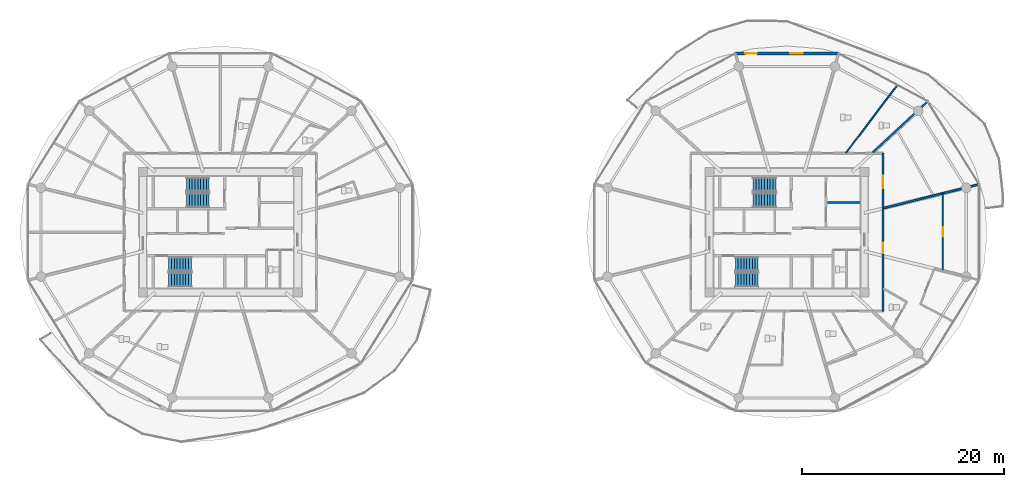
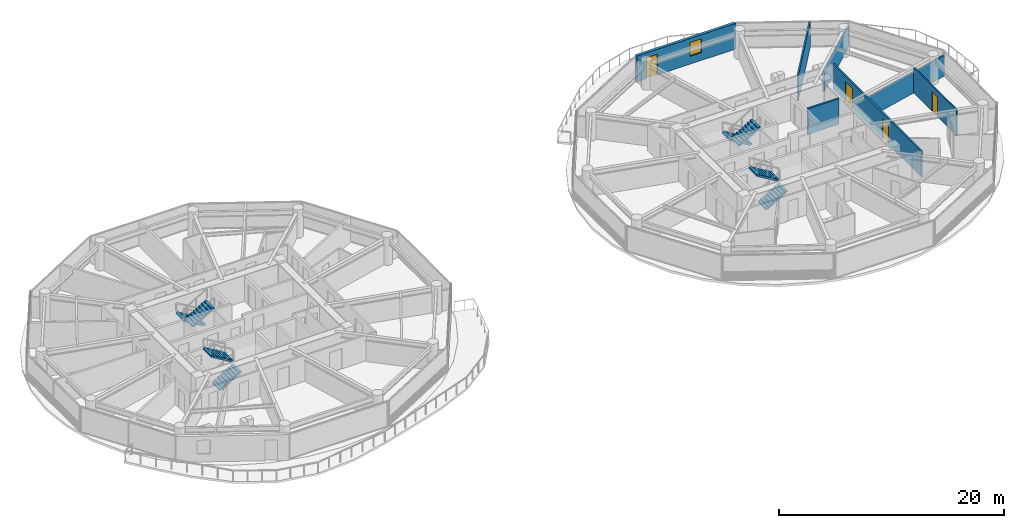
# One storey, part 20 of 27: 8 stair flights, 7 walls, 4 doors, 1 window, 5 openings, 4 elements without a shape of their own.
"""IFC4 building model written with IfcOpenShell, lengths in metres."""

from ifc_helpers import new_model, si_unit, direction, frame, frame_2d, origin, place, context, subcontext, project, spatial, polyline, rectangle, outline, extrude, source, transform, mapped, material, layer, layer_set, type_object, type_shapes, element, fill, aggregate, save


model = new_model("IFC4")

# Units and contexts
model_context = context("Model", 3, precision=1e-05, world=origin(), true_north=direction((0.0, 1.0)))
body_context = subcontext(model_context, "Body", "Model", "MODEL_VIEW")
ifc_project = project(units=[si_unit("LENGTHUNIT", "METRE"), si_unit("AREAUNIT", "SQUARE_METRE"), si_unit("VOLUMEUNIT", "CUBIC_METRE"), si_unit("PLANEANGLEUNIT", "RADIAN"), si_unit("MASSUNIT", "GRAM", prefix="KILO")], contexts=[model_context])

# Site, building, storey
site_placement = place(None, origin())
site = spatial("IfcSite", under=ifc_project, at=site_placement, CompositionType="ELEMENT")
building_placement = place(site_placement, origin())
building = spatial("IfcBuilding", under=site, at=building_placement, Name="Norrkilde Senior Care Towers", CompositionType="ELEMENT")
storey_placement = place(building_placement, frame((0.0, 0.0, 52.10009765625)))
storey = spatial("IfcBuildingStorey", under=building, at=storey_placement, Name="L15", CompositionType="ELEMENT", Elevation=52.10009765625)

# Wall, openings, door, window
ifc_material_1 = material(Name="Precast concrete C45/55", Category="concrete")
ifc_layer_1 = layer(ifc_material_1, 0.2900390625)
ifc_layer_set_1 = layer_set([ifc_layer_1], Name="Precast concrete C45/55")
wall_type_1 = type_object("IfcWallType", Name="Winter Garden Facade Wall 290", PredefinedType="SOLIDWALL", material=ifc_layer_set_1)
shared_shape_1 = source(origin(), body_context, "Body", "SweptSolid", [
    extrude(rectangle(XDim=10.18701171875, YDim=0.2900390625, at=frame_2d((5.093505859375, 0.0))), origin(), (0.0, 0.0, 1.0), 2.789794921875),
])
type_shapes(wall_type_1, [shared_shape_1])
wall_1_placement = place(storey_placement, frame((22.906494140625, 17.6572265625, 0.0), z_axis=(0.0, 0.0, 1.0), x_axis=(1.0, 0.0, 0.0)))
wall_1 = element("IfcWall", 1, at=wall_1_placement, inside=storey, type_object=wall_type_1, Name="L15 Drum E Balcony Access Wall 02", PredefinedType="SOLIDWALL", context=body_context, shape_type="MappedRepresentation", body=[
    mapped(shared_shape_1, transform((0.0, 0.0, 0.0), x_axis=(1.0, 0.0, 0.0), y_axis=(0.0, 1.0, 0.0), z_axis=(0.0, 0.0, 1.0), scale=1.0)),
])
opening_1_placement = place(wall_1_placement, frame((0.97998046875, 0.0, 0.0)))
opening_1 = element("IfcOpeningElement", 2, at=opening_1_placement, cuts=wall_1, Name="Opening D-09", PredefinedType="OPENING", context=body_context, shape_type="SweptSolid", body=[
    extrude(rectangle(XDim=1.14990234375, YDim=2.25, at=frame_2d((0.574951171875, 1.125))), frame((0.0, 0.155029296875, 0.0), z_axis=(0.0, -1.0, 0.0), x_axis=(1.0, 0.0, 0.0)), (0.0, 0.0, 1.0), 0.31005859375),
])
opening_2_placement = place(wall_1_placement, frame((5.443603515625, 0.0, 0.85009765625)))
opening_2 = element("IfcOpeningElement", 3, at=opening_2_placement, cuts=wall_1, Name="Opening WN-07", PredefinedType="OPENING", context=body_context, shape_type="SweptSolid", body=[
    extrude(rectangle(XDim=1.199951171875, YDim=1.5, at=frame_2d((0.60009765625, 0.75))), frame((0.0, 0.155029296875, 0.0), z_axis=(0.0, -1.0, 0.0), x_axis=(1.0, 0.0, 0.0)), (0.0, 0.0, 1.0), 0.31005859375),
])
ifc_material_2 = material(Name="Anodised Aluminium", Category="aluminium")
door_type_1 = type_object("IfcDoorType", Name="Terrace and Balcony Glazed Door 1150x2250", OperationType="NOTDEFINED", PredefinedType="DOOR", material=ifc_material_2)
shared_shape_2 = source(origin(), body_context, "Body", "SweptSolid", [
    extrude(rectangle(XDim=1.14990234375, YDim=2.25, at=frame_2d((0.574951171875, 1.125))), frame((0.0, 0.02490234375, 0.0), z_axis=(0.0, -1.0, 0.0), x_axis=(1.0, 0.0, 0.0)), (0.0, 0.0, 1.0), 0.050048828125),
])
type_shapes(door_type_1, [shared_shape_2])
door_1_placement = place(opening_1_placement, origin())
door_1 = element("IfcDoor", 4, at=door_1_placement, inside=storey, type_object=door_type_1, Name="L15 Drum E Outdoor Terrace Door 02", OperationType="SINGLE_SWING_LEFT", OverallHeight=2.25, OverallWidth=1.14990234375, PredefinedType="DOOR", context=body_context, shape_type="MappedRepresentation", body=[
    mapped(shared_shape_2, transform((0.0, 0.0, 0.0), x_axis=(1.0, 0.0, 0.0), y_axis=(0.0, 1.0, 0.0), z_axis=(0.0, 0.0, 1.0), scale=1.0)),
])
fill(opening_1, door_1)
ifc_material_3 = material(Name="Triple Low-E Insulated Glazing", Category="glass")
window_type = type_object("IfcWindowType", Name="Stairwell Smoke Vent Window 1200x1500", PartitioningType="SINGLE_PANEL", PredefinedType="WINDOW", material=ifc_material_3)
shared_shape_3 = source(origin(), body_context, "Body", "SweptSolid", [
    extrude(rectangle(XDim=1.199951171875, YDim=1.5, at=frame_2d((0.60009765625, 0.75))), frame((0.0, 0.030029296875, 0.0), z_axis=(0.0, -1.0, 0.0), x_axis=(1.0, 0.0, 0.0)), (0.0, 0.0, 1.0), 0.06005859375),
])
type_shapes(window_type, [shared_shape_3])
window_placement = place(opening_2_placement, origin())
window = element("IfcWindow", 5, at=window_placement, inside=storey, type_object=window_type, Name="L15 Drum E Winter Garden Window 02", OverallHeight=1.5, OverallWidth=1.199951171875, PartitioningType="SINGLE_PANEL", PredefinedType="WINDOW", context=body_context, shape_type="MappedRepresentation", body=[
    mapped(shared_shape_3, transform((0.0, 0.0, 0.0), x_axis=(1.0, 0.0, 0.0), y_axis=(0.0, 1.0, 0.0), z_axis=(0.0, 0.0, 1.0), scale=1.0)),
])
fill(opening_2, window)

# Wall
ifc_material_4 = material(Name="Concrete C45/55", Category="concrete")
ifc_layer_2 = layer(ifc_material_4, 0.199951171875)
ifc_layer_set_2 = layer_set([ifc_layer_2], Name="Concrete C45/55")
wall_type_2 = type_object("IfcWallType", Name="Shaft Division and Plant Partition 200", PredefinedType="PARTITIONING", material=ifc_layer_set_2)
shared_shape_4 = source(origin(), body_context, "Body", "SweptSolid", [
    extrude(rectangle(XDim=3.199951171875, YDim=0.199951171875, at=frame_2d((1.60009765625, 0.0))), origin(), (0.0, 0.0, 1.0), 2.77490234375),
])
type_shapes(wall_type_2, [shared_shape_4])
wall_2_placement = place(storey_placement, frame((32.0, 2.949951171875, 0.0), z_axis=(0.0, 0.0, 1.0), x_axis=(1.0, 0.0, 0.0)))
element("IfcWall", 6, at=wall_2_placement, inside=storey, type_object=wall_type_2, Name="WL-INT-L15-E-FFLDIV", PredefinedType="PARTITIONING", context=body_context, shape_type="MappedRepresentation", body=[
    mapped(shared_shape_4, transform((0.0, 0.0, 0.0), x_axis=(1.0, 0.0, 0.0), y_axis=(0.0, 1.0, 0.0), z_axis=(0.0, 0.0, 1.0), scale=1.0)),
])

# Wall, openings, doors
ifc_material_5 = material(Name="Gypsum Acoustic Board")
ifc_layer_3 = layer(ifc_material_5, 0.1650390625)
ifc_layer_set_3 = layer_set([ifc_layer_3], Name="Gypsum Acoustic Board")
wall_type_3 = type_object("IfcWallType", Name="Corridor Rated Partition 165", PredefinedType="PARTITIONING", material=ifc_layer_set_3)
shared_shape_5 = source(origin(), body_context, "Body", "SweptSolid", [
    extrude(rectangle(XDim=15.60009765625, YDim=0.1650390625, at=frame_2d((7.800048828125, 0.0))), origin(), (0.0, 0.0, 1.0), 2.77490234375),
])
type_shapes(wall_type_3, [shared_shape_5])
wall_3_placement = place(storey_placement, frame((37.5, 7.800048828125, 0.0), z_axis=(0.0, 0.0, 1.0), x_axis=(0.0, -1.0, 0.0)))
wall_3 = element("IfcWall", 7, at=wall_3_placement, inside=storey, type_object=wall_type_3, Name="WL-INT-L15-E-CRW-E-0", PredefinedType="PARTITIONING", context=body_context, shape_type="MappedRepresentation", body=[
    mapped(shared_shape_5, transform((0.0, 0.0, 0.0), x_axis=(1.0, 0.0, 0.0), y_axis=(0.0, 1.0, 0.0), z_axis=(0.0, 0.0, 1.0), scale=1.0)),
])
opening_3_placement = place(wall_3_placement, frame((8.834716796875, 0.0, 0.0)))
opening_3 = element("IfcOpeningElement", 8, at=opening_3_placement, cuts=wall_3, Name="Opening D-06", PredefinedType="OPENING", context=body_context, shape_type="SweptSolid", body=[
    extrude(rectangle(XDim=1.050048828125, YDim=2.14990234375, at=frame_2d((0.52490234375, 1.074951171875))), frame((0.0, 0.092529296875, 0.0), z_axis=(0.0, -1.0, 0.0), x_axis=(1.0, 0.0, 0.0)), (0.0, 0.0, 1.0), 0.18505859375),
])
opening_4_placement = place(wall_3_placement, frame((2.20849609375, 0.0, 0.0)))
opening_4 = element("IfcOpeningElement", 9, at=opening_4_placement, cuts=wall_3, Name="Opening D-05", PredefinedType="OPENING", context=body_context, shape_type="SweptSolid", body=[
    extrude(rectangle(XDim=1.25, YDim=2.199951171875, at=frame_2d((0.625, 1.10009765625))), frame((0.0, 0.092529296875, 0.0), z_axis=(0.0, -1.0, 0.0), x_axis=(1.0, 0.0, 0.0)), (0.0, 0.0, 1.0), 0.18505859375),
])
ifc_material_6 = material(Name="Nordic Ash Timber", Category="wood")
door_type_2 = type_object("IfcDoorType", Name="Care Bedroom Bariatric Door 1250x2200", OperationType="NOTDEFINED", PredefinedType="DOOR", material=ifc_material_6)
shared_shape_6 = source(origin(), body_context, "Body", "SweptSolid", [
    extrude(rectangle(XDim=1.25, YDim=2.199951171875, at=frame_2d((0.625, 1.10009765625))), frame((0.0, 0.02490234375, 0.0), z_axis=(0.0, -1.0, 0.0), x_axis=(1.0, 0.0, 0.0)), (0.0, 0.0, 1.0), 0.050048828125),
])
type_shapes(door_type_2, [shared_shape_6])
door_2_placement = place(opening_4_placement, frame((1.25, 0.0, 0.0), z_axis=(0.0, 0.0, 1.0), x_axis=(-1.0, 0.0, 0.0)))
door_2 = element("IfcDoor", 10, at=door_2_placement, inside=storey, type_object=door_type_2, Name="L15 Senior Wellness Library Lounge Door", OperationType="SINGLE_SWING_LEFT", OverallHeight=2.199951171875, OverallWidth=1.25, PredefinedType="DOOR", context=body_context, shape_type="MappedRepresentation", body=[
    mapped(shared_shape_6, transform((0.0, 0.0, 0.0), x_axis=(1.0, 0.0, 0.0), y_axis=(0.0, 1.0, 0.0), z_axis=(0.0, 0.0, 1.0), scale=1.0)),
])
fill(opening_4, door_2)
door_type_3 = type_object("IfcDoorType", Name="Apartment Entrance Fire Door 1050x2150", OperationType="NOTDEFINED", PredefinedType="DOOR", material=ifc_material_6)
shared_shape_7 = source(origin(), body_context, "Body", "SweptSolid", [
    extrude(rectangle(XDim=1.050048828125, YDim=2.14990234375, at=frame_2d((0.52490234375, 1.074951171875))), frame((0.0, 0.02490234375, 0.0), z_axis=(0.0, -1.0, 0.0), x_axis=(1.0, 0.0, 0.0)), (0.0, 0.0, 1.0), 0.050048828125),
])
type_shapes(door_type_3, [shared_shape_7])
door_3_placement = place(opening_3_placement, frame((1.050048828125, 0.0, 0.0), z_axis=(0.0, 0.0, 1.0), x_axis=(-1.0, 0.0, 0.0)))
door_3 = element("IfcDoor", 11, at=door_3_placement, inside=storey, type_object=door_type_3, Name="Apartment 15G Entrance Door", OperationType="SINGLE_SWING_LEFT", OverallHeight=2.14990234375, OverallWidth=1.050048828125, PredefinedType="DOOR", context=body_context, shape_type="MappedRepresentation", body=[
    mapped(shared_shape_7, transform((0.0, 0.0, 0.0), x_axis=(1.0, 0.0, 0.0), y_axis=(0.0, 1.0, 0.0), z_axis=(0.0, 0.0, 1.0), scale=1.0)),
])
fill(opening_3, door_3)

# Walls
ifc_layer_4 = layer(ifc_material_5, 0.18994140625)
ifc_layer_set_4 = layer_set([ifc_layer_4], Name="Gypsum Acoustic Board")
wall_type_4 = type_object("IfcWallType", Name="Unit Demising Acoustic Wall 190", PredefinedType="PARTITIONING", material=ifc_layer_set_4)
shared_shape_8 = source(origin(), body_context, "Body", "SweptSolid", [
    extrude(rectangle(XDim=7.4345703125, YDim=0.18994140625, at=frame_2d((3.71728515625, 0.0))), origin(), (0.0, 0.0, 1.0), 2.224853515625),
])
wall_4_placement = place(storey_placement, frame((36.48291015625, 7.8798828125, 0.0), z_axis=(0.0, 0.0, 1.0), x_axis=(0.732651956848, 0.680603489652, 0.0)))
element("IfcWall", 12, at=wall_4_placement, inside=storey, type_object=wall_type_4, Name="WL-INT-L15-E-DEM-01-0", PredefinedType="PARTITIONING", context=body_context, shape_type="MappedRepresentation", body=[
    mapped(shared_shape_8, transform((0.0, 0.0, 0.0), x_axis=(1.0, 0.0, 0.0), y_axis=(0.0, 1.0, 0.0), z_axis=(0.0, 0.0, 1.0), scale=1.0)),
])
shared_shape_9 = source(origin(), body_context, "Body", "SweptSolid", [
    extrude(rectangle(XDim=9.737060546875, YDim=0.18994140625, at=frame_2d((4.86865234375, 0.0))), origin(), (0.0, 0.0, 1.0), 2.224853515625),
])
type_shapes(wall_type_4, [shared_shape_8, shared_shape_9])
wall_5_placement = place(storey_placement, frame((37.580078125, 2.384521484375, 0.0), z_axis=(0.0, 0.0, 1.0), x_axis=(0.970392716238, 0.241532557375, 0.0)))
element("IfcWall", 13, at=wall_5_placement, inside=storey, type_object=wall_type_4, Name="WL-INT-L15-E-DEM-00-0", PredefinedType="PARTITIONING", context=body_context, shape_type="MappedRepresentation", body=[
    mapped(shared_shape_9, transform((0.0, 0.0, 0.0), x_axis=(1.0, 0.0, 0.0), y_axis=(0.0, 1.0, 0.0), z_axis=(0.0, 0.0, 1.0), scale=1.0)),
])

# Wall, opening, door
ifc_layer_5 = layer(ifc_material_5, 0.114990234375)
ifc_layer_set_5 = layer_set([ifc_layer_5], Name="Gypsum Acoustic Board")
wall_type_5 = type_object("IfcWallType", Name="Internal Room Partition 115", PredefinedType="PARTITIONING", material=ifc_layer_set_5)
shared_shape_10 = source(origin(), body_context, "Body", "SweptSolid", [
    extrude(rectangle(XDim=7.70947265625, YDim=0.114990234375, at=frame_2d((3.854736328125, 0.0))), origin(), (0.0, 0.0, 1.0), 2.77490234375),
])
type_shapes(wall_type_5, [shared_shape_10])
wall_6_placement = place(storey_placement, frame((43.40625, -3.854736328125, 0.0), z_axis=(0.0, 0.0, 1.0), x_axis=(0.0, 1.0, 0.0)))
wall_6 = element("IfcWall", 14, at=wall_6_placement, inside=storey, type_object=wall_type_5, Name="WL-INT-L15-E-UBC-10-1", PredefinedType="PARTITIONING", context=body_context, shape_type="MappedRepresentation", body=[
    mapped(shared_shape_10, transform((0.0, 0.0, 0.0), x_axis=(1.0, 0.0, 0.0), y_axis=(0.0, 1.0, 0.0), z_axis=(0.0, 0.0, 1.0), scale=1.0)),
])
opening_5_placement = place(wall_6_placement, frame((3.379638671875, 0.0, 0.0)))
opening_5 = element("IfcOpeningElement", 15, at=opening_5_placement, cuts=wall_6, Name="Opening D-07", PredefinedType="OPENING", context=body_context, shape_type="SweptSolid", body=[
    extrude(rectangle(XDim=0.949951171875, YDim=2.10009765625, at=frame_2d((0.47509765625, 1.050048828125))), frame((0.0, 0.0673828125, 0.0), z_axis=(0.0, -1.0, 0.0), x_axis=(1.0, 0.0, 0.0)), (0.0, 0.0, 1.0), 0.135009765625),
])
door_type_4 = type_object("IfcDoorType", Name="Internal Suite Bedroom Door 950x2100", OperationType="NOTDEFINED", PredefinedType="DOOR", material=ifc_material_6)
shared_shape_11 = source(origin(), body_context, "Body", "SweptSolid", [
    extrude(rectangle(XDim=0.949951171875, YDim=2.10009765625, at=frame_2d((0.47509765625, 1.050048828125))), frame((0.0, 0.02490234375, 0.0), z_axis=(0.0, -1.0, 0.0), x_axis=(1.0, 0.0, 0.0)), (0.0, 0.0, 1.0), 0.050048828125),
])
type_shapes(door_type_4, [shared_shape_11])
door_4_placement = place(opening_5_placement, origin())
door_4 = element("IfcDoor", 16, at=door_4_placement, inside=storey, type_object=door_type_4, Name="Apartment 15G Bedroom 1 Door", OperationType="SINGLE_SWING_RIGHT", OverallHeight=2.10009765625, OverallWidth=0.949951171875, PredefinedType="DOOR", context=body_context, shape_type="MappedRepresentation", body=[
    mapped(shared_shape_11, transform((0.0, 0.0, 0.0), x_axis=(1.0, 0.0, 0.0), y_axis=(0.0, 1.0, 0.0), z_axis=(0.0, 0.0, 1.0), scale=1.0)),
])
fill(opening_5, door_4)

# Wall
ifc_layer_6 = layer(ifc_material_5, 0.139892578125)
ifc_layer_set_6 = layer_set([ifc_layer_6], Name="Gypsum Acoustic Board")
wall_type_6 = type_object("IfcWallType", Name="En-suite Wet Room Wall 140", PredefinedType="PARTITIONING", material=ifc_layer_set_6)
shared_shape_12 = source(origin(), body_context, "Body", "SweptSolid", [
    extrude(rectangle(XDim=8.436279296875, YDim=0.139892578125, at=frame_2d((4.21826171875, 0.0))), origin(), (0.0, 0.0, 1.0), 2.77490234375),
])
type_shapes(wall_type_6, [shared_shape_12])
wall_7_placement = place(storey_placement, frame((33.827880859375, 7.830078125, 0.0), z_axis=(0.0, 0.0, 1.0), x_axis=(0.604486552388, 0.796615345058, 0.0)))
element("IfcWall", 17, at=wall_7_placement, inside=storey, type_object=wall_type_6, Name="WL-INT-L15-E-MID-01", PredefinedType="PARTITIONING", context=body_context, shape_type="MappedRepresentation", body=[
    mapped(shared_shape_12, transform((0.0, 0.0, 0.0), x_axis=(1.0, 0.0, 0.0), y_axis=(0.0, 1.0, 0.0), z_axis=(0.0, 0.0, 1.0), scale=1.0)),
])

# Stair, stair flights
stair_type = type_object("IfcStairType", Name="Core Protected Dogleg Stair Typical 3050", PredefinedType="HALF_TURN_STAIR", material=ifc_material_4)
stair_1_placement = place(storey_placement, origin())
stair_1 = element("IfcStair", 18, at=stair_1_placement, inside=storey, type_object=stair_type, Name="L15 Protected Core Stair W1", PredefinedType="HALF_TURN_STAIR")
stair_flight_type = type_object("IfcStairFlightType", Name="Core Protected Dogleg Stair Typical 3050 Flight", PredefinedType="STRAIGHT", material=ifc_material_4)
stair_flight_1_placement = place(storey_placement, frame((-29.10009765625, 4.699951171875, 0.0), z_axis=(0.0, 0.0, 1.0), x_axis=(-1.0, 0.0, 0.0)))
stair_flight_1 = element("IfcStairFlight", 19, at=stair_flight_1_placement, type_object=stair_flight_type, Name="ST-W1 flight 1", NumberOfRisers=9, NumberOfTreads=8, PredefinedType="STRAIGHT", RiserHeight=0.169444444, TreadLength=0.28, context=body_context, shape_type="SweptSolid", body=[
    extrude(outline(polyline([(0.0, 0.0), (0.0, 0.16943359375), (0.280029296875, 0.16943359375), (0.280029296875, 0.3388671875), (0.56005859375, 0.3388671875), (0.56005859375, 0.50830078125), (0.840087890625, 0.50830078125), (0.840087890625, 0.677734375), (1.1201171875, 0.677734375), (1.1201171875, 0.84716796875), (1.39990234375, 0.84716796875), (1.39990234375, 1.0166015625), (1.679931640625, 1.0166015625), (1.679931640625, 1.18603515625), (1.9599609375, 1.18603515625), (1.9599609375, 1.35546875), (2.239990234375, 1.35546875), (2.239990234375, 1.52490234375), (2.239990234375, 1.180419921875), (0.28955078125, 0.0), (0.0, 0.0)])), frame((0.0, 0.699951171875, 0.0), z_axis=(0.0, -1.0, 0.0), x_axis=(1.0, 0.0, 0.0)), (0.0, 0.0, 1.0), 1.39990234375),
])
stair_flight_2_placement = place(storey_placement, frame((-31.340087890625, 3.14990234375, 1.52490234375), z_axis=(0.0, 0.0, 1.0), x_axis=(1.0, 0.0, 0.0)))
stair_flight_2 = element("IfcStairFlight", 20, at=stair_flight_2_placement, type_object=stair_flight_type, Name="ST-W1 flight 2", NumberOfRisers=9, NumberOfTreads=8, PredefinedType="STRAIGHT", RiserHeight=0.169444444, TreadLength=0.28, context=body_context, shape_type="SweptSolid", body=[
    extrude(outline(polyline([(0.0, 0.0), (0.0, 0.16943359375), (0.280029296875, 0.16943359375), (0.280029296875, 0.3388671875), (0.56005859375, 0.3388671875), (0.56005859375, 0.50830078125), (0.840087890625, 0.50830078125), (0.840087890625, 0.677734375), (1.1201171875, 0.677734375), (1.1201171875, 0.84716796875), (1.39990234375, 0.84716796875), (1.39990234375, 1.0166015625), (1.679931640625, 1.0166015625), (1.679931640625, 1.18603515625), (1.9599609375, 1.18603515625), (1.9599609375, 1.35546875), (2.239990234375, 1.35546875), (2.239990234375, 1.52490234375), (2.239990234375, 1.180419921875), (0.28955078125, 0.0), (0.0, 0.0)])), frame((0.0, 0.699951171875, 0.0), z_axis=(0.0, -1.0, 0.0), x_axis=(1.0, 0.0, 0.0)), (0.0, 0.0, 1.0), 1.39990234375),
])
aggregate(stair_1, [stair_flight_1, stair_flight_2])

stair_2_placement = place(storey_placement, origin())
stair_2 = element("IfcStair", 21, at=stair_2_placement, inside=storey, type_object=stair_type, Name="L15 Protected Core Stair W2", PredefinedType="HALF_TURN_STAIR")
stair_flight_3_placement = place(storey_placement, frame((-33.10009765625, -4.699951171875, 0.0), z_axis=(0.0, 0.0, 1.0), x_axis=(1.0, 0.0, 0.0)))
stair_flight_3 = element("IfcStairFlight", 22, at=stair_flight_3_placement, type_object=stair_flight_type, Name="ST-W2 flight 1", NumberOfRisers=9, NumberOfTreads=8, PredefinedType="STRAIGHT", RiserHeight=0.169444444, TreadLength=0.28, context=body_context, shape_type="SweptSolid", body=[
    extrude(outline(polyline([(0.0, 0.0), (0.0, 0.16943359375), (0.280029296875, 0.16943359375), (0.280029296875, 0.3388671875), (0.56005859375, 0.3388671875), (0.56005859375, 0.50830078125), (0.840087890625, 0.50830078125), (0.840087890625, 0.677734375), (1.1201171875, 0.677734375), (1.1201171875, 0.84716796875), (1.39990234375, 0.84716796875), (1.39990234375, 1.0166015625), (1.679931640625, 1.0166015625), (1.679931640625, 1.18603515625), (1.9599609375, 1.18603515625), (1.9599609375, 1.35546875), (2.239990234375, 1.35546875), (2.239990234375, 1.52490234375), (2.239990234375, 1.180419921875), (0.28955078125, 0.0), (0.0, 0.0)])), frame((0.0, 0.699951171875, 0.0), z_axis=(0.0, -1.0, 0.0), x_axis=(1.0, 0.0, 0.0)), (0.0, 0.0, 1.0), 1.39990234375),
])
stair_flight_4_placement = place(storey_placement, frame((-30.860107421875, -3.14990234375, 1.52490234375), z_axis=(0.0, 0.0, 1.0), x_axis=(-1.0, 0.0, 0.0)))
stair_flight_4 = element("IfcStairFlight", 23, at=stair_flight_4_placement, type_object=stair_flight_type, Name="ST-W2 flight 2", NumberOfRisers=9, NumberOfTreads=8, PredefinedType="STRAIGHT", RiserHeight=0.169444444, TreadLength=0.28, context=body_context, shape_type="SweptSolid", body=[
    extrude(outline(polyline([(0.0, 0.0), (0.0, 0.16943359375), (0.280029296875, 0.16943359375), (0.280029296875, 0.3388671875), (0.56005859375, 0.3388671875), (0.56005859375, 0.50830078125), (0.840087890625, 0.50830078125), (0.840087890625, 0.677734375), (1.1201171875, 0.677734375), (1.1201171875, 0.84716796875), (1.39990234375, 0.84716796875), (1.39990234375, 1.0166015625), (1.679931640625, 1.0166015625), (1.679931640625, 1.18603515625), (1.9599609375, 1.18603515625), (1.9599609375, 1.35546875), (2.239990234375, 1.35546875), (2.239990234375, 1.52490234375), (2.239990234375, 1.180419921875), (0.28955078125, 0.0), (0.0, 0.0)])), frame((0.0, 0.699951171875, 0.0), z_axis=(0.0, -1.0, 0.0), x_axis=(1.0, 0.0, 0.0)), (0.0, 0.0, 1.0), 1.39990234375),
])
aggregate(stair_2, [stair_flight_3, stair_flight_4])

stair_3_placement = place(storey_placement, origin())
stair_3 = element("IfcStair", 24, at=stair_3_placement, inside=storey, type_object=stair_type, Name="L15 Protected Core Stair E1", PredefinedType="HALF_TURN_STAIR")
stair_flight_5_placement = place(storey_placement, frame((26.89990234375, 4.699951171875, 0.0), z_axis=(0.0, 0.0, 1.0), x_axis=(-1.0, 0.0, 0.0)))
stair_flight_5 = element("IfcStairFlight", 25, at=stair_flight_5_placement, type_object=stair_flight_type, Name="ST-E1 flight 1", NumberOfRisers=9, NumberOfTreads=8, PredefinedType="STRAIGHT", RiserHeight=0.169444444, TreadLength=0.28, context=body_context, shape_type="SweptSolid", body=[
    extrude(outline(polyline([(0.0, 0.0), (0.0, 0.16943359375), (0.280029296875, 0.16943359375), (0.280029296875, 0.3388671875), (0.56005859375, 0.3388671875), (0.56005859375, 0.50830078125), (0.840087890625, 0.50830078125), (0.840087890625, 0.677734375), (1.1201171875, 0.677734375), (1.1201171875, 0.84716796875), (1.39990234375, 0.84716796875), (1.39990234375, 1.0166015625), (1.679931640625, 1.0166015625), (1.679931640625, 1.18603515625), (1.9599609375, 1.18603515625), (1.9599609375, 1.35546875), (2.239990234375, 1.35546875), (2.239990234375, 1.52490234375), (2.239990234375, 1.180419921875), (0.28955078125, 0.0), (0.0, 0.0)])), frame((0.0, 0.699951171875, 0.0), z_axis=(0.0, -1.0, 0.0), x_axis=(1.0, 0.0, 0.0)), (0.0, 0.0, 1.0), 1.39990234375),
])
stair_flight_6_placement = place(storey_placement, frame((24.659912109375, 3.14990234375, 1.52490234375), z_axis=(0.0, 0.0, 1.0), x_axis=(1.0, 0.0, 0.0)))
stair_flight_6 = element("IfcStairFlight", 26, at=stair_flight_6_placement, type_object=stair_flight_type, Name="ST-E1 flight 2", NumberOfRisers=9, NumberOfTreads=8, PredefinedType="STRAIGHT", RiserHeight=0.169444444, TreadLength=0.28, context=body_context, shape_type="SweptSolid", body=[
    extrude(outline(polyline([(0.0, 0.0), (0.0, 0.16943359375), (0.280029296875, 0.16943359375), (0.280029296875, 0.3388671875), (0.56005859375, 0.3388671875), (0.56005859375, 0.50830078125), (0.840087890625, 0.50830078125), (0.840087890625, 0.677734375), (1.1201171875, 0.677734375), (1.1201171875, 0.84716796875), (1.39990234375, 0.84716796875), (1.39990234375, 1.0166015625), (1.679931640625, 1.0166015625), (1.679931640625, 1.18603515625), (1.9599609375, 1.18603515625), (1.9599609375, 1.35546875), (2.239990234375, 1.35546875), (2.239990234375, 1.52490234375), (2.239990234375, 1.180419921875), (0.28955078125, 0.0), (0.0, 0.0)])), frame((0.0, 0.699951171875, 0.0), z_axis=(0.0, -1.0, 0.0), x_axis=(1.0, 0.0, 0.0)), (0.0, 0.0, 1.0), 1.39990234375),
])
aggregate(stair_3, [stair_flight_5, stair_flight_6])

stair_4_placement = place(storey_placement, origin())
stair_4 = element("IfcStair", 27, at=stair_4_placement, inside=storey, type_object=stair_type, Name="L15 Protected Core Stair E2", PredefinedType="HALF_TURN_STAIR")
stair_flight_7_placement = place(storey_placement, frame((22.89990234375, -4.699951171875, 0.0), z_axis=(0.0, 0.0, 1.0), x_axis=(1.0, 0.0, 0.0)))
stair_flight_7 = element("IfcStairFlight", 28, at=stair_flight_7_placement, type_object=stair_flight_type, Name="ST-E2 flight 1", NumberOfRisers=9, NumberOfTreads=8, PredefinedType="STRAIGHT", RiserHeight=0.169444444, TreadLength=0.28, context=body_context, shape_type="SweptSolid", body=[
    extrude(outline(polyline([(0.0, 0.0), (0.0, 0.16943359375), (0.280029296875, 0.16943359375), (0.280029296875, 0.3388671875), (0.56005859375, 0.3388671875), (0.56005859375, 0.50830078125), (0.840087890625, 0.50830078125), (0.840087890625, 0.677734375), (1.1201171875, 0.677734375), (1.1201171875, 0.84716796875), (1.39990234375, 0.84716796875), (1.39990234375, 1.0166015625), (1.679931640625, 1.0166015625), (1.679931640625, 1.18603515625), (1.9599609375, 1.18603515625), (1.9599609375, 1.35546875), (2.239990234375, 1.35546875), (2.239990234375, 1.52490234375), (2.239990234375, 1.180419921875), (0.28955078125, 0.0), (0.0, 0.0)])), frame((0.0, 0.699951171875, 0.0), z_axis=(0.0, -1.0, 0.0), x_axis=(1.0, 0.0, 0.0)), (0.0, 0.0, 1.0), 1.39990234375),
])
stair_flight_8_placement = place(storey_placement, frame((25.139892578125, -3.14990234375, 1.52490234375), z_axis=(0.0, 0.0, 1.0), x_axis=(-1.0, 0.0, 0.0)))
stair_flight_8 = element("IfcStairFlight", 29, at=stair_flight_8_placement, type_object=stair_flight_type, Name="ST-E2 flight 2", NumberOfRisers=9, NumberOfTreads=8, PredefinedType="STRAIGHT", RiserHeight=0.169444444, TreadLength=0.28, context=body_context, shape_type="SweptSolid", body=[
    extrude(outline(polyline([(0.0, 0.0), (0.0, 0.16943359375), (0.280029296875, 0.16943359375), (0.280029296875, 0.3388671875), (0.56005859375, 0.3388671875), (0.56005859375, 0.50830078125), (0.840087890625, 0.50830078125), (0.840087890625, 0.677734375), (1.1201171875, 0.677734375), (1.1201171875, 0.84716796875), (1.39990234375, 0.84716796875), (1.39990234375, 1.0166015625), (1.679931640625, 1.0166015625), (1.679931640625, 1.18603515625), (1.9599609375, 1.18603515625), (1.9599609375, 1.35546875), (2.239990234375, 1.35546875), (2.239990234375, 1.52490234375), (2.239990234375, 1.180419921875), (0.28955078125, 0.0), (0.0, 0.0)])), frame((0.0, 0.699951171875, 0.0), z_axis=(0.0, -1.0, 0.0), x_axis=(1.0, 0.0, 0.0)), (0.0, 0.0, 1.0), 1.39990234375),
])
aggregate(stair_4, [stair_flight_7, stair_flight_8])

save(model, "model.ifc")
